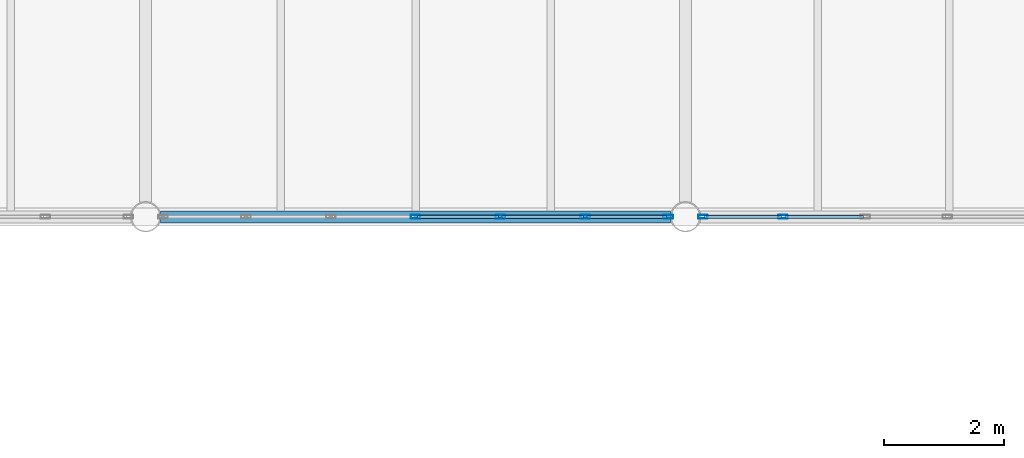
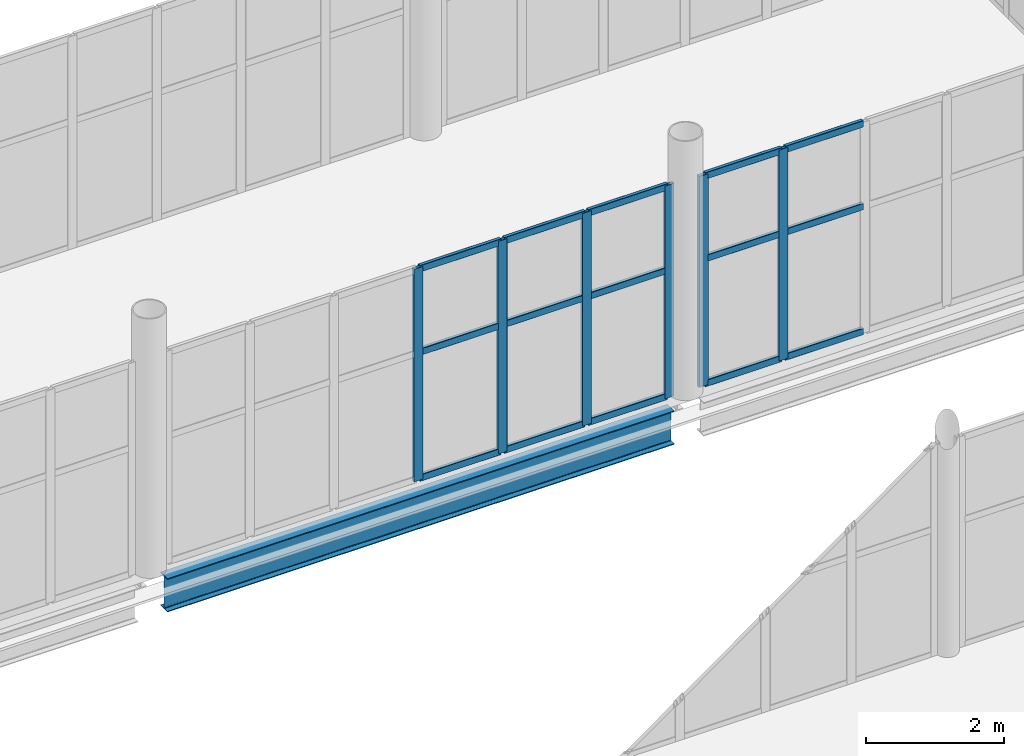
# One storey, part 114 of 172: 21 members, 1 beam, 2 elements without a shape of their own.
"""IFC4 building model written with IfcOpenShell, lengths in metres."""

from ifc_helpers import new_model, si_unit, direction, frame, origin, origin_2d, place, context, subcontext, project, spatial, hollow_rectangle, i_section, extrude, material, material_profile, profile_set, type_object, element, aggregate, save


model = new_model("IFC4")

# Units and contexts
model_context = context("Model", 3, precision=1e-05, world=origin(), true_north=direction((0.0, 1.0)))
body_context = subcontext(model_context, "Body", "Model", "MODEL_VIEW")
ifc_project = project(units=[si_unit("LENGTHUNIT", "METRE"), si_unit("AREAUNIT", "SQUARE_METRE"), si_unit("VOLUMEUNIT", "CUBIC_METRE"), si_unit("PLANEANGLEUNIT", "RADIAN"), si_unit("MASSUNIT", "GRAM", prefix="KILO")], contexts=[model_context])

# Site, building, storey
site_placement = place(None, origin())
site = spatial("IfcSite", under=ifc_project, at=site_placement, CompositionType="ELEMENT")
building_placement = place(site_placement, origin())
building = spatial("IfcBuilding", under=site, at=building_placement, Name="Shengluoqiao Park Theatre", CompositionType="ELEMENT")
storey_placement = place(building_placement, frame((0.0, 0.0, 5.39990234375)))
storey = spatial("IfcBuildingStorey", under=building, at=storey_placement, Name="L01", CompositionType="ELEMENT", Elevation=5.39990234375)

# Curtain wall, members
ifc_material_1 = material(Name="Aluminium 6063-T6", Category="aluminium")
curtain_wall_type = type_object("IfcCurtainWallType", Name="ENV-CW-BRIDGE", PredefinedType="NOTDEFINED", material=ifc_material_1)
curtain_wall_1_placement = place(storey_placement, origin())
curtain_wall_1 = element("IfcCurtainWall", 1, at=curtain_wall_1_placement, inside=storey, type_object=curtain_wall_type, Name="L01 Curtain Wall CWX-L01-0097", PredefinedType="NOTDEFINED")
ifc_material_profile_1 = material_profile(ifc_material_1, hollow_rectangle(XDim=0.06005859375, YDim=0.159912109375, WallThickness=0.00390625, InnerFilletRadius=0.00390625, OuterFilletRadius=0.008056640625, at=origin_2d()), Name="ALU MULLION 160x60x4")
ifc_profile_set_1 = profile_set([ifc_material_profile_1], Name="Aluminium 6063-T6")
member_type_1 = type_object("IfcMemberType", Name="ENV-MUL-160", PredefinedType="MULLION", material=ifc_profile_set_1)
member_1_placement = place(storey_placement, frame((143.89990234375, 68.39990234375, 0.0), z_axis=(0.0, 0.0, 1.0), x_axis=(0.0, 1.0, 0.0)))
member_1 = element("IfcMember", 2, at=member_1_placement, type_object=member_type_1, Name="CW-03 mullion 4", PredefinedType="MULLION", context=body_context, shape_type="SweptSolid", body=[
    extrude(hollow_rectangle(XDim=0.06005859375, YDim=0.159912109375, WallThickness=0.00390625, InnerFilletRadius=0.00390625, OuterFilletRadius=0.008056640625, at=origin_2d()), origin(), (0.0, 0.0, 1.0), 3.772216796875),
])
member_2_placement = place(storey_placement, frame((145.31396484375, 68.39990234375, 0.0), z_axis=(0.0, 0.0, 1.0), x_axis=(0.0, 1.0, 0.0)))
member_2 = element("IfcMember", 3, at=member_2_placement, type_object=member_type_1, Name="CW-03 mullion 5", PredefinedType="MULLION", context=body_context, shape_type="SweptSolid", body=[
    extrude(hollow_rectangle(XDim=0.06005859375, YDim=0.159912109375, WallThickness=0.00390625, InnerFilletRadius=0.00390625, OuterFilletRadius=0.008056640625, at=origin_2d()), origin(), (0.0, 0.0, 1.0), 3.772216796875),
])
member_3_placement = place(storey_placement, frame((146.72802734375, 68.39990234375, 0.0), z_axis=(0.0, 0.0, 1.0), x_axis=(0.0, 1.0, 0.0)))
member_3 = element("IfcMember", 4, at=member_3_placement, type_object=member_type_1, Name="CW-03 mullion 6", PredefinedType="MULLION", context=body_context, shape_type="SweptSolid", body=[
    extrude(hollow_rectangle(XDim=0.06005859375, YDim=0.159912109375, WallThickness=0.00390625, InnerFilletRadius=0.00390625, OuterFilletRadius=0.008056640625, at=origin_2d()), origin(), (0.0, 0.0, 1.0), 3.772216796875),
])
member_4_placement = place(storey_placement, frame((148.112060546875, 68.39990234375, 0.0), z_axis=(0.0, 0.0, 1.0), x_axis=(0.0, 1.0, 0.0)))
member_4 = element("IfcMember", 5, at=member_4_placement, type_object=member_type_1, Name="CW-03 mullion 7", PredefinedType="MULLION", context=body_context, shape_type="SweptSolid", body=[
    extrude(hollow_rectangle(XDim=0.06005859375, YDim=0.159912109375, WallThickness=0.00390625, InnerFilletRadius=0.00390625, OuterFilletRadius=0.008056640625, at=origin_2d()), origin(), (0.0, 0.0, 1.0), 3.772216796875),
])

curtain_wall_2_placement = place(storey_placement, origin())
curtain_wall_2 = element("IfcCurtainWall", 6, at=curtain_wall_2_placement, inside=storey, type_object=curtain_wall_type, Name="L01 Curtain Wall CWX-L01-0098", PredefinedType="NOTDEFINED")
member_5_placement = place(storey_placement, frame((148.68798828125, 68.39990234375, 0.0), z_axis=(0.0, 0.0, 1.0), x_axis=(0.0, 1.0, 0.0)))
member_5 = element("IfcMember", 7, at=member_5_placement, type_object=member_type_1, Name="CW-03 mullion 1", PredefinedType="MULLION", context=body_context, shape_type="SweptSolid", body=[
    extrude(hollow_rectangle(XDim=0.06005859375, YDim=0.159912109375, WallThickness=0.00390625, InnerFilletRadius=0.00390625, OuterFilletRadius=0.008056640625, at=origin_2d()), origin(), (0.0, 0.0, 1.0), 3.7421875),
])
member_6_placement = place(storey_placement, frame((150.02685546875, 68.39990234375, 0.0), z_axis=(0.0, 0.0, 1.0), x_axis=(0.0, 1.0, 0.0)))
member_6 = element("IfcMember", 8, at=member_6_placement, type_object=member_type_1, Name="CW-03 mullion 2", PredefinedType="MULLION", context=body_context, shape_type="SweptSolid", body=[
    extrude(hollow_rectangle(XDim=0.06005859375, YDim=0.159912109375, WallThickness=0.00390625, InnerFilletRadius=0.00390625, OuterFilletRadius=0.008056640625, at=origin_2d()), origin(), (0.0, 0.0, 1.0), 3.7421875),
])

# Member
ifc_material_profile_2 = material_profile(ifc_material_1, hollow_rectangle(XDim=0.06005859375, YDim=0.1201171875, WallThickness=0.00390625, InnerFilletRadius=0.00390625, OuterFilletRadius=0.008056640625, at=origin_2d()), Name="ALU TRANSOM 120x60x4")
ifc_profile_set_2 = profile_set([ifc_material_profile_2], Name="Aluminium 6063-T6")
member_type_2 = type_object("IfcMemberType", Name="ENV-TRN-120", PredefinedType="USERDEFINED", material=ifc_profile_set_2)
member_7_placement = place(storey_placement, frame((143.929931640625, 68.39990234375, 0.030029296875), z_axis=(1.0, 0.0, 0.0), x_axis=(0.0, 1.0, 0.0)))
member_7 = element("IfcMember", 9, at=member_7_placement, type_object=member_type_2, Name="CW-03 transom 4.1", ObjectType="TRANSOM", PredefinedType="USERDEFINED", context=body_context, shape_type="SweptSolid", body=[
    extrude(hollow_rectangle(XDim=0.06005859375, YDim=0.1201171875, WallThickness=0.00390625, InnerFilletRadius=0.00390625, OuterFilletRadius=0.008056640625, at=origin_2d()), origin(), (0.0, 0.0, 1.0), 1.35400390625),
])

member_8_placement = place(storey_placement, frame((143.929931640625, 68.39990234375, 2.26318359375), z_axis=(1.0, 0.0, 0.0), x_axis=(0.0, 1.0, 0.0)))
member_8 = element("IfcMember", 10, at=member_8_placement, type_object=member_type_2, Name="CW-03 transom 4.2", ObjectType="TRANSOM", PredefinedType="USERDEFINED", context=body_context, shape_type="SweptSolid", body=[
    extrude(hollow_rectangle(XDim=0.06005859375, YDim=0.1201171875, WallThickness=0.00390625, InnerFilletRadius=0.00390625, OuterFilletRadius=0.008056640625, at=origin_2d()), origin(), (0.0, 0.0, 1.0), 1.35400390625),
])

member_9_placement = place(storey_placement, frame((143.929931640625, 68.39990234375, 3.7421875), z_axis=(1.0, 0.0, 0.0), x_axis=(0.0, 1.0, 0.0)))
member_9 = element("IfcMember", 11, at=member_9_placement, type_object=member_type_2, Name="CW-03 transom 4.3", ObjectType="TRANSOM", PredefinedType="USERDEFINED", context=body_context, shape_type="SweptSolid", body=[
    extrude(hollow_rectangle(XDim=0.06005859375, YDim=0.1201171875, WallThickness=0.00390625, InnerFilletRadius=0.00390625, OuterFilletRadius=0.008056640625, at=origin_2d()), origin(), (0.0, 0.0, 1.0), 1.35400390625),
])

member_10_placement = place(storey_placement, frame((145.343994140625, 68.39990234375, 0.030029296875), z_axis=(1.0, 0.0, 0.0), x_axis=(0.0, 1.0, 0.0)))
member_10 = element("IfcMember", 12, at=member_10_placement, type_object=member_type_2, Name="CW-03 transom 5.1", ObjectType="TRANSOM", PredefinedType="USERDEFINED", context=body_context, shape_type="SweptSolid", body=[
    extrude(hollow_rectangle(XDim=0.06005859375, YDim=0.1201171875, WallThickness=0.00390625, InnerFilletRadius=0.00390625, OuterFilletRadius=0.008056640625, at=origin_2d()), origin(), (0.0, 0.0, 1.0), 1.35400390625),
])

member_11_placement = place(storey_placement, frame((145.343994140625, 68.39990234375, 2.26318359375), z_axis=(1.0, 0.0, 0.0), x_axis=(0.0, 1.0, 0.0)))
member_11 = element("IfcMember", 13, at=member_11_placement, type_object=member_type_2, Name="CW-03 transom 5.2", ObjectType="TRANSOM", PredefinedType="USERDEFINED", context=body_context, shape_type="SweptSolid", body=[
    extrude(hollow_rectangle(XDim=0.06005859375, YDim=0.1201171875, WallThickness=0.00390625, InnerFilletRadius=0.00390625, OuterFilletRadius=0.008056640625, at=origin_2d()), origin(), (0.0, 0.0, 1.0), 1.35400390625),
])

member_12_placement = place(storey_placement, frame((145.343994140625, 68.39990234375, 3.7421875), z_axis=(1.0, 0.0, 0.0), x_axis=(0.0, 1.0, 0.0)))
member_12 = element("IfcMember", 14, at=member_12_placement, type_object=member_type_2, Name="CW-03 transom 5.3", ObjectType="TRANSOM", PredefinedType="USERDEFINED", context=body_context, shape_type="SweptSolid", body=[
    extrude(hollow_rectangle(XDim=0.06005859375, YDim=0.1201171875, WallThickness=0.00390625, InnerFilletRadius=0.00390625, OuterFilletRadius=0.008056640625, at=origin_2d()), origin(), (0.0, 0.0, 1.0), 1.35400390625),
])

member_13_placement = place(storey_placement, frame((146.758056640625, 68.39990234375, 0.030029296875), z_axis=(1.0, 0.0, 0.0), x_axis=(0.0, 1.0, 0.0)))
member_13 = element("IfcMember", 15, at=member_13_placement, type_object=member_type_2, Name="CW-03 transom 6.1", ObjectType="TRANSOM", PredefinedType="USERDEFINED", context=body_context, shape_type="SweptSolid", body=[
    extrude(hollow_rectangle(XDim=0.06005859375, YDim=0.1201171875, WallThickness=0.00390625, InnerFilletRadius=0.00390625, OuterFilletRadius=0.008056640625, at=origin_2d()), origin(), (0.0, 0.0, 1.0), 1.323974609375),
])

member_14_placement = place(storey_placement, frame((146.758056640625, 68.39990234375, 2.26318359375), z_axis=(1.0, 0.0, 0.0), x_axis=(0.0, 1.0, 0.0)))
member_14 = element("IfcMember", 16, at=member_14_placement, type_object=member_type_2, Name="CW-03 transom 6.2", ObjectType="TRANSOM", PredefinedType="USERDEFINED", context=body_context, shape_type="SweptSolid", body=[
    extrude(hollow_rectangle(XDim=0.06005859375, YDim=0.1201171875, WallThickness=0.00390625, InnerFilletRadius=0.00390625, OuterFilletRadius=0.008056640625, at=origin_2d()), origin(), (0.0, 0.0, 1.0), 1.323974609375),
])

member_15_placement = place(storey_placement, frame((146.758056640625, 68.39990234375, 3.7421875), z_axis=(1.0, 0.0, 0.0), x_axis=(0.0, 1.0, 0.0)))
member_15 = element("IfcMember", 17, at=member_15_placement, type_object=member_type_2, Name="CW-03 transom 6.3", ObjectType="TRANSOM", PredefinedType="USERDEFINED", context=body_context, shape_type="SweptSolid", body=[
    extrude(hollow_rectangle(XDim=0.06005859375, YDim=0.1201171875, WallThickness=0.00390625, InnerFilletRadius=0.00390625, OuterFilletRadius=0.008056640625, at=origin_2d()), origin(), (0.0, 0.0, 1.0), 1.323974609375),
])

aggregate(curtain_wall_1, [member_1, member_2, member_3, member_4, member_7, member_8, member_9, member_10, member_11, member_12, member_13, member_14, member_15])

member_16_placement = place(storey_placement, frame((148.718017578125, 68.39990234375, 0.030029296875), z_axis=(1.0, 0.0, 0.0), x_axis=(0.0, 1.0, 0.0)))
member_16 = element("IfcMember", 18, at=member_16_placement, type_object=member_type_2, Name="CW-03 transom 1.1", ObjectType="TRANSOM", PredefinedType="USERDEFINED", context=body_context, shape_type="SweptSolid", body=[
    extrude(hollow_rectangle(XDim=0.06005859375, YDim=0.1201171875, WallThickness=0.00390625, InnerFilletRadius=0.00390625, OuterFilletRadius=0.008056640625, at=origin_2d()), origin(), (0.0, 0.0, 1.0), 1.27880859375),
])

member_17_placement = place(storey_placement, frame((148.718017578125, 68.39990234375, 2.2451171875), z_axis=(1.0, 0.0, 0.0), x_axis=(0.0, 1.0, 0.0)))
member_17 = element("IfcMember", 19, at=member_17_placement, type_object=member_type_2, Name="CW-03 transom 1.2", ObjectType="TRANSOM", PredefinedType="USERDEFINED", context=body_context, shape_type="SweptSolid", body=[
    extrude(hollow_rectangle(XDim=0.06005859375, YDim=0.1201171875, WallThickness=0.00390625, InnerFilletRadius=0.00390625, OuterFilletRadius=0.008056640625, at=origin_2d()), origin(), (0.0, 0.0, 1.0), 1.27880859375),
])

member_18_placement = place(storey_placement, frame((148.718017578125, 68.39990234375, 3.712158203125), z_axis=(1.0, 0.0, 0.0), x_axis=(0.0, 1.0, 0.0)))
member_18 = element("IfcMember", 20, at=member_18_placement, type_object=member_type_2, Name="CW-03 transom 1.3", ObjectType="TRANSOM", PredefinedType="USERDEFINED", context=body_context, shape_type="SweptSolid", body=[
    extrude(hollow_rectangle(XDim=0.06005859375, YDim=0.1201171875, WallThickness=0.00390625, InnerFilletRadius=0.00390625, OuterFilletRadius=0.008056640625, at=origin_2d()), origin(), (0.0, 0.0, 1.0), 1.27880859375),
])

member_19_placement = place(storey_placement, frame((150.056884765625, 68.39990234375, 0.030029296875), z_axis=(1.0, 0.0, 0.0), x_axis=(0.0, 1.0, 0.0)))
member_19 = element("IfcMember", 21, at=member_19_placement, type_object=member_type_2, Name="CW-03 transom 2.1", ObjectType="TRANSOM", PredefinedType="USERDEFINED", context=body_context, shape_type="SweptSolid", body=[
    extrude(hollow_rectangle(XDim=0.06005859375, YDim=0.1201171875, WallThickness=0.00390625, InnerFilletRadius=0.00390625, OuterFilletRadius=0.008056640625, at=origin_2d()), origin(), (0.0, 0.0, 1.0), 1.308837890625),
])

member_20_placement = place(storey_placement, frame((150.056884765625, 68.39990234375, 2.2451171875), z_axis=(1.0, 0.0, 0.0), x_axis=(0.0, 1.0, 0.0)))
member_20 = element("IfcMember", 22, at=member_20_placement, type_object=member_type_2, Name="CW-03 transom 2.2", ObjectType="TRANSOM", PredefinedType="USERDEFINED", context=body_context, shape_type="SweptSolid", body=[
    extrude(hollow_rectangle(XDim=0.06005859375, YDim=0.1201171875, WallThickness=0.00390625, InnerFilletRadius=0.00390625, OuterFilletRadius=0.008056640625, at=origin_2d()), origin(), (0.0, 0.0, 1.0), 1.308837890625),
])

member_21_placement = place(storey_placement, frame((150.056884765625, 68.39990234375, 3.712158203125), z_axis=(1.0, 0.0, 0.0), x_axis=(0.0, 1.0, 0.0)))
member_21 = element("IfcMember", 23, at=member_21_placement, type_object=member_type_2, Name="CW-03 transom 2.3", ObjectType="TRANSOM", PredefinedType="USERDEFINED", context=body_context, shape_type="SweptSolid", body=[
    extrude(hollow_rectangle(XDim=0.06005859375, YDim=0.1201171875, WallThickness=0.00390625, InnerFilletRadius=0.00390625, OuterFilletRadius=0.008056640625, at=origin_2d()), origin(), (0.0, 0.0, 1.0), 1.308837890625),
])

aggregate(curtain_wall_2, [member_5, member_6, member_16, member_17, member_18, member_19, member_20, member_21])

# Beam
ifc_material_2 = material(Name="Steel Q355", Category="steel")
ifc_material_profile_3 = material_profile(ifc_material_2, i_section(OverallWidth=0.198974609375, OverallDepth=0.595947265625, WebThickness=0.010009765625, FlangeThickness=0.014892578125, FilletRadius=0.02001953125, at=origin_2d()), Name="HN 596x199x10x15")
ifc_profile_set_3 = profile_set([ifc_material_profile_3], Name="Steel Q355")
beam_type = type_object("IfcBeamType", Name="STR-BM-SP-HN596", PredefinedType="SPANDREL", material=ifc_profile_set_3)
beam_placement = place(storey_placement, frame((139.64794921875, 68.39990234375, -0.5078125), z_axis=(1.0, 0.0, 0.0), x_axis=(0.0, 1.0, 0.0)))
element("IfcBeam", 24, at=beam_placement, inside=storey, type_object=beam_type, Name="L01 Primary Girder 00522", PredefinedType="SPANDREL", context=body_context, shape_type="SweptSolid", body=[
    extrude(i_section(OverallWidth=0.198974609375, OverallDepth=0.595947265625, WebThickness=0.010009765625, FlangeThickness=0.014892578125, FilletRadius=0.02001953125, at=origin_2d()), origin(), (0.0, 0.0, 1.0), 8.504150390625),
])

save(model, "model.ifc")
